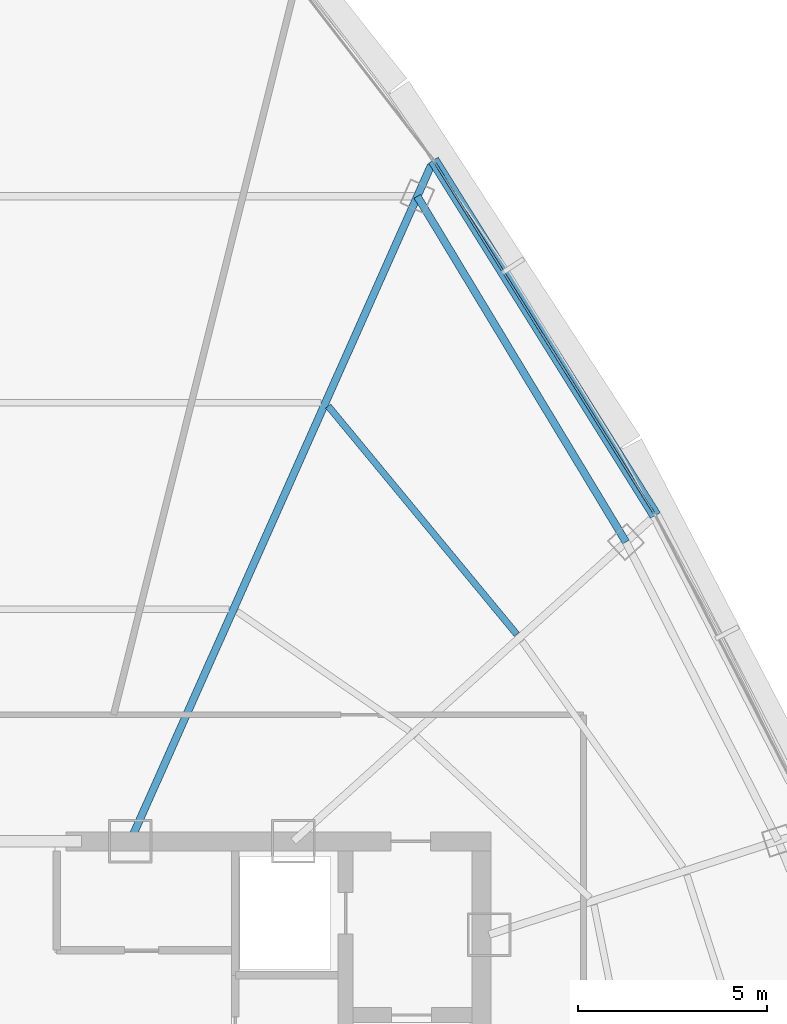
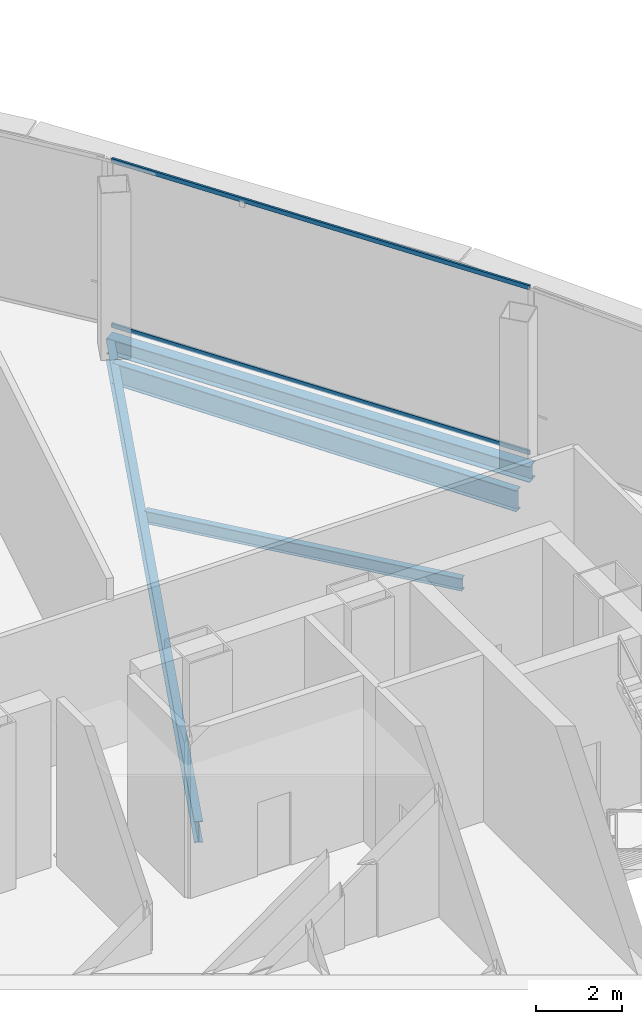
# One storey, part 17 of 29: 4 beams, 2 members, 1 element without a shape of its own.
"""IFC4 building model written with IfcOpenShell, lengths in metres."""

from ifc_helpers import new_model, si_unit, direction, frame, origin, origin_2d, place, context, subcontext, project, spatial, hollow_rectangle, i_section, extrude, source, transform, mapped, material, layer, layer_set, material_profile, profile_set, type_object, element, aggregate, save


model = new_model("IFC4")

# Units and contexts
model_context = context("Model", 3, precision=1e-05, world=origin(), true_north=direction((0.0, 1.0)))
body_context = subcontext(model_context, "Body", "Model", "MODEL_VIEW")
ifc_project = project(units=[si_unit("LENGTHUNIT", "METRE"), si_unit("AREAUNIT", "SQUARE_METRE"), si_unit("VOLUMEUNIT", "CUBIC_METRE"), si_unit("PLANEANGLEUNIT", "RADIAN"), si_unit("MASSUNIT", "GRAM", prefix="KILO"), si_unit("THERMODYNAMICTEMPERATUREUNIT", "KELVIN"), si_unit("POWERUNIT", "WATT")], contexts=[model_context])

# Site, building, storey
site_placement = place(None, origin())
site = spatial("IfcSite", under=ifc_project, at=site_placement, CompositionType="ELEMENT")
building_placement = place(site_placement, origin())
building = spatial("IfcBuilding", under=site, at=building_placement, Name="Yunzhuo Pagoda Commons", CompositionType="ELEMENT")
storey_placement = place(building_placement, frame((0.0, 0.0, 366.760009765625)))
storey = spatial("IfcBuildingStorey", under=building, at=storey_placement, Name="L92", CompositionType="ELEMENT", Elevation=366.760009765625)

# Beams
ifc_material_1 = material(Name="Structural steel Q355B", Category="steel")
ifc_material_profile_1 = material_profile(ifc_material_1, i_section(OverallWidth=0.199951171875, OverallDepth=0.60009765625, WebThickness=0.010986328125, FlangeThickness=0.01708984375, at=origin_2d()), Name="Structural steel Q355B")
ifc_profile_set_1 = profile_set([ifc_material_profile_1], Name="Structural steel Q355B")
beam_type_1 = type_object("IfcBeamType", Name="B-RG3 Beam HN 600x200x11x17", PredefinedType="BEAM", material=ifc_profile_set_1)
shared_shape_1 = source(origin(), body_context, "Body", "SweptSolid", [
    extrude(i_section(OverallWidth=0.199951171875, OverallDepth=0.60009765625, WebThickness=0.010986328125, FlangeThickness=0.01708984375, at=origin_2d()), origin(), (0.0, 0.0, 1.0), 10.691162109375),
])
beam_1_placement = place(storey_placement, frame((64.024658203125, 48.128662109375, -0.580078125), z_axis=(-0.516864678433, 0.856067114301, 0.0), x_axis=(-0.856067114301, -0.516864678433, 0.0)))
element("IfcBeam", 1, at=beam_1_placement, inside=storey, type_object=beam_type_1, Name="L92 column-ring beam 7", PredefinedType="BEAM", context=body_context, shape_type="MappedRepresentation", body=[
    mapped(shared_shape_1, transform((0.0, 0.0, 0.0), scale=1.0)),
])
ifc_material_profile_2 = material_profile(ifc_material_1, i_section(OverallWidth=0.175048828125, OverallDepth=0.35009765625, WebThickness=0.007080078125, FlangeThickness=0.010986328125, at=origin_2d()), Name="Structural steel Q355B")
ifc_profile_set_2 = profile_set([ifc_material_profile_2], Name="Structural steel Q355B")
beam_type_2 = type_object("IfcBeamType", Name="B-JS2 Joist HN 350x175x7x11", PredefinedType="JOIST", material=ifc_profile_set_2)
shared_shape_2 = source(origin(), body_context, "Body", "SweptSolid", [
    extrude(i_section(OverallWidth=0.175048828125, OverallDepth=0.35009765625, WebThickness=0.007080078125, FlangeThickness=0.010986328125, at=origin_2d()), origin(), (0.0, 0.0, 1.0), 7.842529296875),
])
beam_2_placement = place(storey_placement, frame((61.133544921875, 45.68017578125, -0.455078125), z_axis=(-0.636899145749, 0.770947130577, 0.0), x_axis=(-0.770947130577, -0.636899145749, 0.0)))
element("IfcBeam", 2, at=beam_2_placement, inside=storey, type_object=beam_type_2, Name="L92 composite ring joist 2.7", PredefinedType="JOIST", context=body_context, shape_type="MappedRepresentation", body=[
    mapped(shared_shape_2, transform((0.0, 0.0, 0.0), scale=1.0)),
])
shared_shape_3 = source(origin(), body_context, "Body", "SweptSolid", [
    extrude(i_section(OverallWidth=0.199951171875, OverallDepth=0.60009765625, WebThickness=0.010986328125, FlangeThickness=0.01708984375, at=origin_2d()), origin(), (0.0, 0.0, 1.0), 19.59228515625),
])
beam_3_placement = place(storey_placement, frame((58.86279296875, 58.098388671875, -0.580078125), z_axis=(-0.406730347382, -0.91354826064, 0.0), x_axis=(0.91354826064, -0.406730347382, 0.0)))
element("IfcBeam", 3, at=beam_3_placement, inside=storey, type_object=beam_type_1, Name="L92 radial floor girder F2C4", PredefinedType="BEAM", context=body_context, shape_type="MappedRepresentation", body=[
    mapped(shared_shape_3, transform((0.0, 0.0, 0.0), scale=1.0)),
])
ifc_material_profile_3 = material_profile(ifc_material_1, i_section(OverallWidth=0.300048828125, OverallDepth=0.43994140625, WebThickness=0.010986328125, FlangeThickness=0.01806640625, at=origin_2d()), Name="Structural steel Q355B")
ifc_profile_set_3 = profile_set([ifc_material_profile_3], Name="Structural steel Q355B")
beam_type_3 = type_object("IfcBeamType", Name="B-SP2 Beam HM 440x300x11x18", PredefinedType="BEAM", material=ifc_profile_set_3)
shared_shape_4 = source(origin(), body_context, "Body", "SweptSolid", [
    extrude(i_section(OverallWidth=0.300048828125, OverallDepth=0.43994140625, WebThickness=0.010986328125, FlangeThickness=0.01806640625, at=origin_2d()), origin(), (0.0, 0.0, 1.0), 11.094482421875),
])
beam_4_placement = place(storey_placement, frame((64.804931640625, 48.831298828125, -0.5), z_axis=(-0.529915860294, 0.848050223164, 0.0), x_axis=(-0.848050223164, -0.529915860294, 0.0)))
element("IfcBeam", 4, at=beam_4_placement, inside=storey, type_object=beam_type_3, Name="L92 facade edge spandrel beam F2.3", PredefinedType="BEAM", context=body_context, shape_type="MappedRepresentation", body=[
    mapped(shared_shape_4, transform((0.0, 0.0, 0.0), scale=1.0)),
])

# Curtain wall, members
ifc_material_2 = material(Name="Anodized aluminium 6063-T6", Category="aluminium")
ifc_layer = layer(ifc_material_2, 0.139892578125)
ifc_layer_set = layer_set([ifc_layer], Name="Anodized aluminium 6063-T6")
curtain_wall_type = type_object("IfcCurtainWallType", Name="CW-HI High-Zone Ribbon Curtain Wall", PredefinedType="NOTDEFINED", material=ifc_layer_set)
curtain_wall_placement = place(storey_placement, origin())
curtain_wall = element("IfcCurtainWall", 5, at=curtain_wall_placement, inside=storey, type_object=curtain_wall_type, Name="L92 curtain wall CW-L92-F2B4", PredefinedType="NOTDEFINED")
ifc_material_profile_4 = material_profile(ifc_material_2, hollow_rectangle(XDim=0.054931640625, YDim=0.1201171875, WallThickness=0.00341796875, at=origin_2d()), Name="Anodized aluminium 6063-T6")
ifc_profile_set_4 = profile_set([ifc_material_profile_4], Name="Anodized aluminium 6063-T6")
member_type = type_object("IfcMemberType", Name="CW-HI-T Transom RHS 120x55x3.5", PredefinedType="USERDEFINED", material=ifc_profile_set_4)
shared_shape_5 = source(origin(), body_context, "Body", "SweptSolid", [
    extrude(hollow_rectangle(XDim=0.054931640625, YDim=0.1201171875, WallThickness=0.00341796875, at=origin_2d()), origin(), (0.0, 0.0, 1.0), 10.974609375),
])
member_1_placement = place(storey_placement, frame((64.773193359375, 48.882080078125, 0.027587890625), z_axis=(-0.529898954441, 0.848060786785, 0.0), x_axis=(-0.848060786785, -0.529898954441, 0.0)))
member_1 = element("IfcMember", 6, at=member_1_placement, type_object=member_type, Name="CW transom 1.1", ObjectType="TRANSOM", PredefinedType="USERDEFINED", context=body_context, shape_type="MappedRepresentation", body=[
    mapped(shared_shape_5, transform((0.0, 0.0, 0.0), scale=1.0)),
])
member_2_placement = place(storey_placement, frame((64.773193359375, 48.882080078125, 4.6923828125), z_axis=(-0.529898954441, 0.848060786785, 0.0), x_axis=(-0.848060786785, -0.529898954441, 0.0)))
member_2 = element("IfcMember", 7, at=member_2_placement, type_object=member_type, Name="CW transom 1.2", ObjectType="TRANSOM", PredefinedType="USERDEFINED", context=body_context, shape_type="MappedRepresentation", body=[
    mapped(shared_shape_5, transform((0.0, 0.0, 0.0), scale=1.0)),
])
aggregate(curtain_wall, [member_1, member_2])

save(model, "model.ifc")
